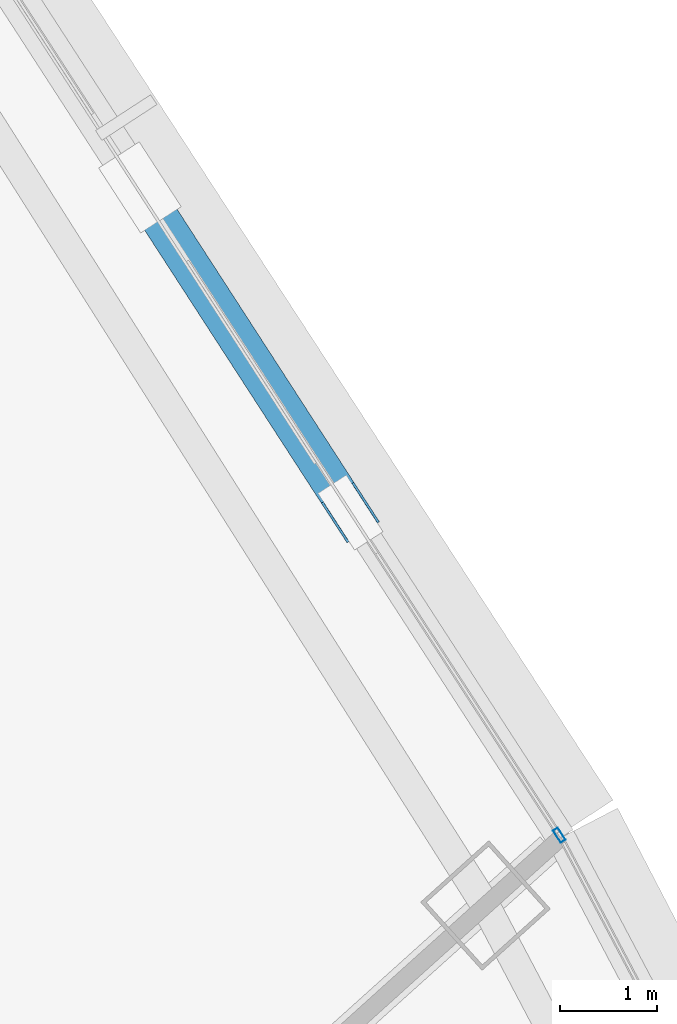
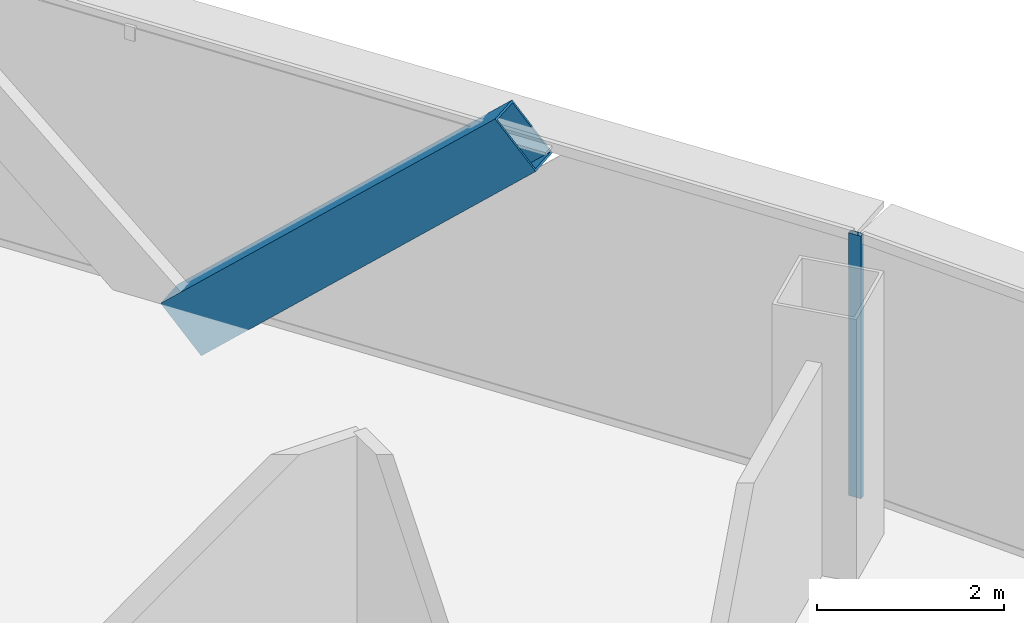
# One storey, part 20 of 39: 2 members, 1 element without a shape of its own.
"""IFC4 building model written with IfcOpenShell, lengths in metres."""

from ifc_helpers import new_model, si_unit, direction, frame, origin, origin_2d, place, context, subcontext, project, spatial, hollow_rectangle, extrude, source, transform, mapped, material, layer, layer_set, material_profile, profile_set, type_object, element, aggregate, save


model = new_model("IFC4")

# Units and contexts
model_context = context("Model", 3, precision=1e-05, world=origin(), true_north=direction((0.0, 1.0)))
body_context = subcontext(model_context, "Body", "Model", "MODEL_VIEW")
ifc_project = project(units=[si_unit("LENGTHUNIT", "METRE"), si_unit("AREAUNIT", "SQUARE_METRE"), si_unit("VOLUMEUNIT", "CUBIC_METRE"), si_unit("PLANEANGLEUNIT", "RADIAN"), si_unit("MASSUNIT", "GRAM", prefix="KILO"), si_unit("THERMODYNAMICTEMPERATUREUNIT", "KELVIN"), si_unit("POWERUNIT", "WATT")], contexts=[model_context])

# Site, building, storey
site_placement = place(None, origin())
site = spatial("IfcSite", under=ifc_project, at=site_placement, CompositionType="ELEMENT")
building_placement = place(site_placement, origin())
building = spatial("IfcBuilding", under=site, at=building_placement, Name="Yunzhuo Pagoda Commons", CompositionType="ELEMENT")
storey_placement = place(building_placement, frame((0.0, 0.0, 166.6298828125)))
storey = spatial("IfcBuildingStorey", under=building, at=storey_placement, Name="L42", CompositionType="ELEMENT", Elevation=166.6298828125)

# Member
ifc_material_1 = material(Name="Structural steel Q355B", Category="steel")
ifc_material_profile_1 = material_profile(ifc_material_1, hollow_rectangle(XDim=0.39990234375, YDim=0.719970703125, WallThickness=0.02392578125, at=origin_2d()), Name="Structural steel Q355B")
ifc_profile_set_1 = profile_set([ifc_material_profile_1], Name="Structural steel Q355B")
member_type_1 = type_object("IfcMemberType", Name="M-DL2 Brace BOX 720x400x24", PredefinedType="BRACE", material=ifc_profile_set_1)
shared_shape_1 = source(origin(), body_context, "Body", "SweptSolid", [
    extrude(hollow_rectangle(XDim=0.39990234375, YDim=0.719970703125, WallThickness=0.02392578125, at=origin_2d()), origin(), (0.0, 0.0, 1.0), 5.441650390625),
])
member_1_placement = place(storey_placement, frame((68.189697265625, 62.53173828125, -0.259765625), z_axis=(0.400337310388, -0.618384976923, 0.676261826682), x_axis=(0.839442680853, 0.543448236324, 0.0)))
element("IfcMember", 1, at=member_1_placement, inside=storey, type_object=member_type_1, Name="L42 facade diamond brace F2.3L", PredefinedType="BRACE", context=body_context, shape_type="MappedRepresentation", body=[
    mapped(shared_shape_1, transform((0.0, 0.0, 0.0), scale=1.0)),
])

# Curtain wall, member
ifc_material_2 = material(Name="Anodized aluminium 6063-T6", Category="aluminium")
ifc_layer = layer(ifc_material_2, 0.14990234375)
ifc_layer_set = layer_set([ifc_layer], Name="Anodized aluminium 6063-T6")
curtain_wall_type = type_object("IfcCurtainWallType", Name="CW-MID Mid-Zone Ribbon Curtain Wall", PredefinedType="NOTDEFINED", material=ifc_layer_set)
curtain_wall_placement = place(storey_placement, origin())
curtain_wall = element("IfcCurtainWall", 2, at=curtain_wall_placement, inside=storey, type_object=curtain_wall_type, Name="L42 curtain wall CW-L42-F2B4", PredefinedType="NOTDEFINED")
ifc_material_profile_2 = material_profile(ifc_material_2, hollow_rectangle(XDim=0.06005859375, YDim=0.14990234375, WallThickness=0.00390625, at=origin_2d()), Name="Anodized aluminium 6063-T6")
ifc_profile_set_2 = profile_set([ifc_material_profile_2], Name="Anodized aluminium 6063-T6")
member_type_2 = type_object("IfcMemberType", Name="CW-MID-M Mullion RHS 150x60x4", PredefinedType="MULLION", material=ifc_profile_set_2)
shared_shape_2 = source(origin(), body_context, "Body", "SweptSolid", [
    extrude(hollow_rectangle(XDim=0.06005859375, YDim=0.14990234375, WallThickness=0.00390625, at=origin_2d()), origin(), (0.0, 0.0, 1.0), 3.420166015625),
])
member_2_placement = place(storey_placement, frame((72.530029296875, 55.826904296875, 0.0), z_axis=(0.0, 0.0, 1.0), x_axis=(-0.839466065689, -0.543412113002, 0.0)))
member_2 = element("IfcMember", 3, at=member_2_placement, type_object=member_type_2, Name="CW mullion 1", PredefinedType="MULLION", context=body_context, shape_type="MappedRepresentation", body=[
    mapped(shared_shape_2, transform((0.0, 0.0, 0.0), scale=1.0)),
])
aggregate(curtain_wall, [member_2])

save(model, "model.ifc")
